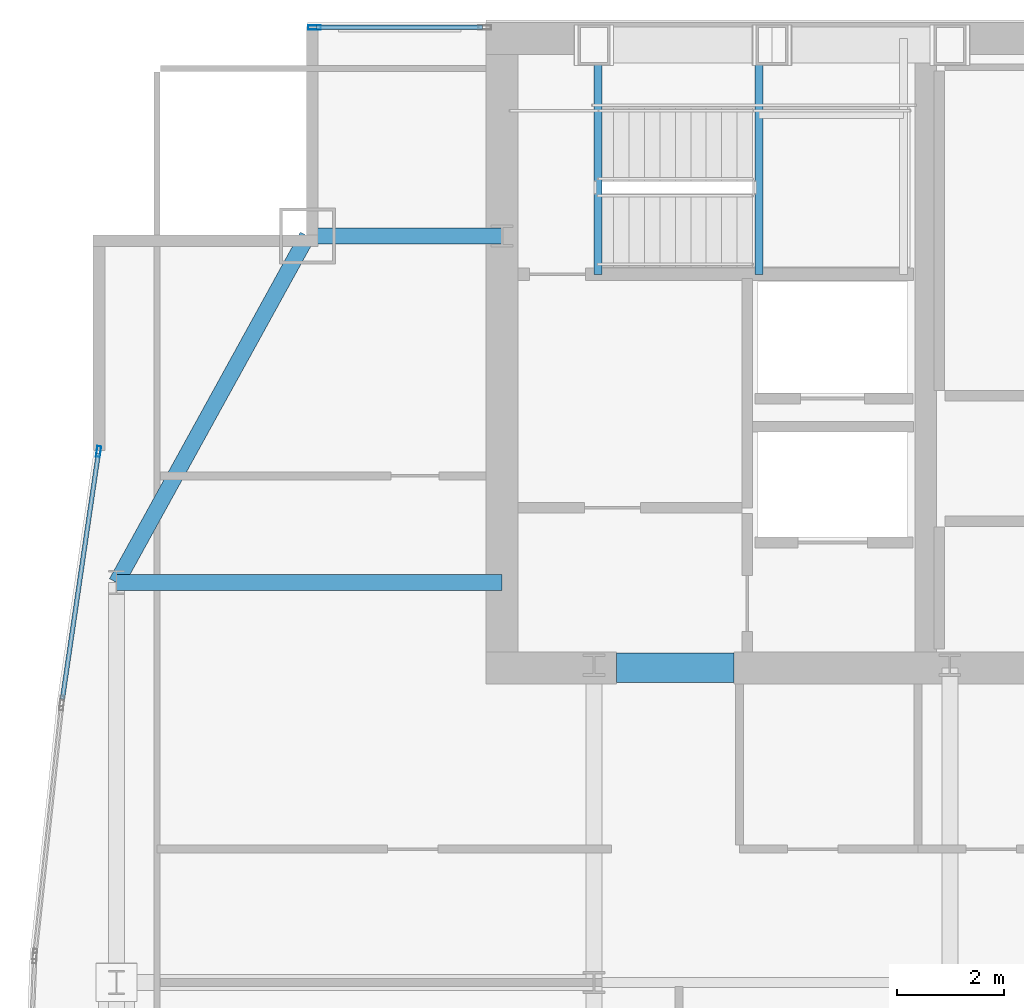
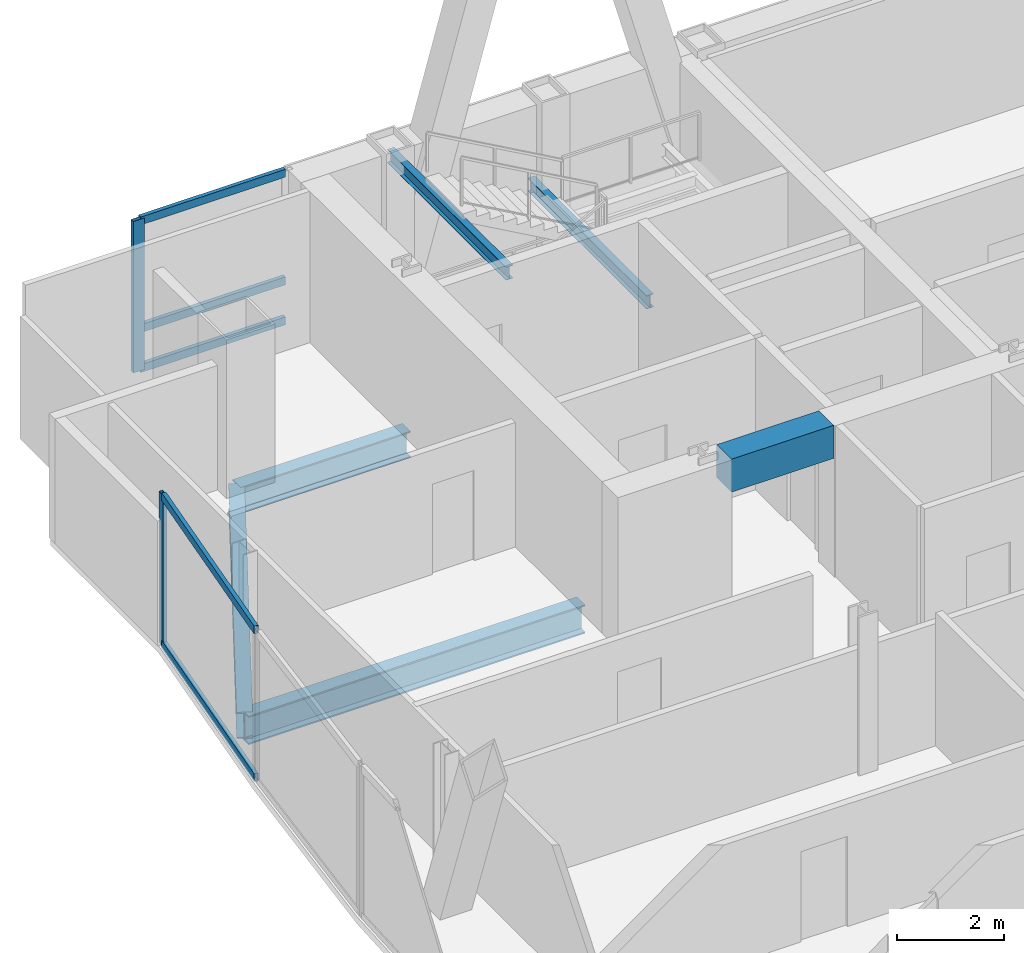
# One storey, part 21 of 31: 7 members, 6 beams, 2 elements without a shape of their own.
"""IFC4 building model written with IfcOpenShell, lengths in metres."""

from ifc_helpers import new_model, si_unit, direction, frame, origin, origin_2d, place, context, subcontext, project, spatial, rectangle, hollow_rectangle, i_section, extrude, material, material_profile, profile_set, type_object, element, aggregate, save


model = new_model("IFC4")

# Units and contexts
model_context = context("Model", 3, precision=1e-05, world=origin(), true_north=direction((0.0, 1.0)))
body_context = subcontext(model_context, "Body", "Model", "MODEL_VIEW")
ifc_project = project(units=[si_unit("LENGTHUNIT", "METRE"), si_unit("AREAUNIT", "SQUARE_METRE"), si_unit("VOLUMEUNIT", "CUBIC_METRE"), si_unit("PLANEANGLEUNIT", "RADIAN"), si_unit("MASSUNIT", "GRAM", prefix="KILO")], contexts=[model_context])

# Site, building, storey
site_placement = place(None, origin())
site = spatial("IfcSite", under=ifc_project, at=site_placement, CompositionType="ELEMENT")
building_placement = place(site_placement, origin())
building = spatial("IfcBuilding", under=site, at=building_placement, Name="Khoronbel Lancet Exchange", CompositionType="ELEMENT")
storey_placement = place(building_placement, frame((0.0, 0.0, 249.800048828125)))
storey = spatial("IfcBuildingStorey", under=building, at=storey_placement, Name="L64", CompositionType="ELEMENT", Elevation=249.800048828125)

# Beams
ifc_material_1 = material(Name="Steel S355", Category="steel")
ifc_material_profile_1 = material_profile(ifc_material_1, i_section(OverallWidth=0.300048828125, OverallDepth=0.64990234375, WebThickness=0.01611328125, FlangeThickness=0.031005859375, at=origin_2d()), Name="HEB 650")
ifc_profile_set_1 = profile_set([ifc_material_profile_1], Name="Steel S355")
beam_type_1 = type_object("IfcBeamType", Name="BM-BG4", PredefinedType="BEAM", material=ifc_profile_set_1)
beam_1_placement = place(storey_placement, frame((9.27001953125, 43.199951171875, -0.485107421875), z_axis=(1.0, 0.0, 0.0), x_axis=(0.0, 1.0, 0.0)))
element("IfcBeam", 1, at=beam_1_placement, inside=storey, type_object=beam_type_1, Name="Level L64 west lens tie girder LG3W", PredefinedType="BEAM", context=body_context, shape_type="SweptSolid", body=[
    extrude(i_section(OverallWidth=0.300048828125, OverallDepth=0.64990234375, WebThickness=0.01611328125, FlangeThickness=0.031005859375, at=origin_2d()), origin(), (0.0, 0.0, 1.0), 7.22998046875),
])
ifc_material_profile_2 = material_profile(ifc_material_1, i_section(OverallWidth=0.14990234375, OverallDepth=0.300048828125, WebThickness=0.007080078125, FlangeThickness=0.0107421875, at=origin_2d()), Name="IPE 300")
ifc_profile_set_2 = profile_set([ifc_material_profile_2], Name="Steel S355")
beam_type_2 = type_object("IfcBeamType", Name="BM-BJ8", PredefinedType="JOIST", material=ifc_profile_set_2)
for number, where, z_axis, x_axis, name in (
    (2, (21.320068359375, 48.97998046875, 1.449951171875), (0.0, 1.0, 0.0), (-1.0, 0.0, 0.0), "Level L64 stair ST1 landing bearer beam 1"),
    (3, (18.300048828125, 48.97998046875, 3.159912109375), (0.0, 1.0, 0.0), (-1.0, 0.0, 0.0), "Level L64 stair ST1 upper-flight arrival trimmer beam"),
):
    element("IfcBeam", number, at=place(storey_placement, frame(where, z_axis=z_axis, x_axis=x_axis)), inside=storey, type_object=beam_type_2, Name=name, PredefinedType="JOIST", context=body_context, shape_type="SweptSolid", body=[
        extrude(i_section(OverallWidth=0.14990234375, OverallDepth=0.300048828125, WebThickness=0.007080078125, FlangeThickness=0.0107421875, at=origin_2d()), origin(), (0.0, 0.0, 1.0), 4.419921875),
    ])
ifc_material_2 = material(Name="Concrete C60/75", Category="concrete")
ifc_material_profile_3 = material_profile(ifc_material_2, rectangle(XDim=0.550048828125, YDim=0.75, at=origin_2d()), Name="RC 550x750")
ifc_profile_set_3 = profile_set([ifc_material_profile_3], Name="Concrete C60/75")
beam_type_3 = type_object("IfcBeamType", Name="BM-BL2", PredefinedType="LINTEL", material=ifc_profile_set_3)
beam_2_placement = place(storey_placement, frame((18.64990234375, 41.60009765625, 3.06494140625), z_axis=(1.0, 0.0, 0.0), x_axis=(0.0, 1.0, 0.0)))
element("IfcBeam", 4, at=beam_2_placement, inside=storey, type_object=beam_type_3, Name="Level L64 rear core coupling lintel L1", PredefinedType="LINTEL", context=body_context, shape_type="SweptSolid", body=[
    extrude(rectangle(XDim=0.550048828125, YDim=0.75, at=origin_2d()), origin(), (0.0, 0.0, 1.0), 2.2001953125),
])
ifc_material_profile_4 = material_profile(ifc_material_1, i_section(OverallWidth=0.300048828125, OverallDepth=0.60009765625, WebThickness=0.015380859375, FlangeThickness=0.030029296875, at=origin_2d()), Name="HEB 600")
ifc_profile_set_4 = profile_set([ifc_material_profile_4], Name="Steel S355")
beam_type_4 = type_object("IfcBeamType", Name="BM-BSP2", PredefinedType="SPANDREL", material=ifc_profile_set_4)
beam_3_placement = place(storey_placement, frame((12.85009765625, 49.699951171875, -0.4599609375), z_axis=(-0.482444051088, -0.875926787791, 0.0), x_axis=(0.875926787791, -0.482444051088, 0.0)))
element("IfcBeam", 5, at=beam_3_placement, inside=storey, type_object=beam_type_4, Name="Level L64 perimeter spandrel beam SP16", PredefinedType="SPANDREL", context=body_context, shape_type="SweptSolid", body=[
    extrude(i_section(OverallWidth=0.300048828125, OverallDepth=0.60009765625, WebThickness=0.015380859375, FlangeThickness=0.030029296875, at=origin_2d()), origin(), (0.0, 0.0, 1.0), 7.420654296875),
])
beam_4_placement = place(storey_placement, frame((12.85009765625, 49.699951171875, -0.4599609375), z_axis=(1.0, 0.0, 0.0), x_axis=(0.0, 1.0, 0.0)))
element("IfcBeam", 6, at=beam_4_placement, inside=storey, type_object=beam_type_4, Name="Level L64 north flank tie spandrel SP22", PredefinedType="SPANDREL", context=body_context, shape_type="SweptSolid", body=[
    extrude(i_section(OverallWidth=0.300048828125, OverallDepth=0.60009765625, WebThickness=0.015380859375, FlangeThickness=0.030029296875, at=origin_2d()), origin(), (0.0, 0.0, 1.0), 3.64990234375),
])

# Curtain wall, member
ifc_material_3 = material(Name="Low-E Solar Control Insulating Glass", Category="glass")
curtain_wall_type_1 = type_object("IfcCurtainWallType", Name="CW-3", PredefinedType="NOTDEFINED", material=ifc_material_3)
curtain_wall_1_placement = place(storey_placement, origin())
curtain_wall_1 = element("IfcCurtainWall", 7, at=curtain_wall_1_placement, inside=storey, type_object=curtain_wall_type_1, Name="Unitised curtain wall CW-L64-NWFLK", PredefinedType="NOTDEFINED")
ifc_material_4 = material(Name="Bronze-Anodised Aluminium 6063-T6", Category="aluminium")
ifc_material_profile_5 = material_profile(ifc_material_4, hollow_rectangle(XDim=0.0849609375, YDim=0.239990234375, WallThickness=0.006103515625, at=origin_2d()), Name="ALU MULLION 85x240")
ifc_profile_set_5 = profile_set([ifc_material_profile_5], Name="Bronze-Anodised Aluminium 6063-T6")
member_type_1 = type_object("IfcMemberType", Name="MEM-CWM1", PredefinedType="MULLION", material=ifc_profile_set_5)
member_1_placement = place(storey_placement, frame((12.982421875, 53.610107421875, 0.0), z_axis=(0.0, 0.0, 1.0), x_axis=(0.0, -1.0, 0.0)))
member_1 = element("IfcMember", 8, at=member_1_placement, type_object=member_type_1, Name="CW3 mullion 2", PredefinedType="MULLION", context=body_context, shape_type="SweptSolid", body=[
    extrude(hollow_rectangle(XDim=0.0849609375, YDim=0.239990234375, WallThickness=0.006103515625, at=origin_2d()), origin(), (0.0, 0.0, 1.0), 3.43994140625),
])

# Curtain wall, members
curtain_wall_type_2 = type_object("IfcCurtainWallType", Name="CW-4", PredefinedType="NOTDEFINED", material=ifc_material_3)
curtain_wall_2_placement = place(storey_placement, origin())
curtain_wall_2 = element("IfcCurtainWall", 9, at=curtain_wall_2_placement, inside=storey, type_object=curtain_wall_type_2, Name="Unitised curtain wall CW-L64-E09", PredefinedType="NOTDEFINED")
ifc_material_profile_6 = material_profile(ifc_material_4, hollow_rectangle(XDim=0.074951171875, YDim=0.199951171875, WallThickness=0.0048828125, at=origin_2d()), Name="ALU MULLION 75x200")
ifc_profile_set_6 = profile_set([ifc_material_profile_6], Name="Bronze-Anodised Aluminium 6063-T6")
member_type_2 = type_object("IfcMemberType", Name="MEM-CWM2", PredefinedType="MULLION", material=ifc_profile_set_6)
member_2_placement = place(storey_placement, frame((8.9345703125, 45.656494140625, 0.0), z_axis=(0.0, 0.0, 1.0), x_axis=(-0.989467753264, 0.144753463694, 0.0)))
member_2 = element("IfcMember", 10, at=member_2_placement, type_object=member_type_2, Name="CW4 mullion 2", PredefinedType="MULLION", context=body_context, shape_type="SweptSolid", body=[
    extrude(hollow_rectangle(XDim=0.074951171875, YDim=0.199951171875, WallThickness=0.0048828125, at=origin_2d()), origin(), (0.0, 0.0, 1.0), 3.43994140625),
])
ifc_material_profile_7 = material_profile(ifc_material_4, hollow_rectangle(XDim=0.0849609375, YDim=0.179931640625, WallThickness=0.0048828125, at=origin_2d()), Name="ALU TRANSOM 85x180")
ifc_profile_set_7 = profile_set([ifc_material_profile_7], Name="Bronze-Anodised Aluminium 6063-T6")
member_type_3 = type_object("IfcMemberType", Name="MEM-CWT1", PredefinedType="USERDEFINED", material=ifc_profile_set_7)
member_3_placement = place(storey_placement, frame((8.25537109375, 41.012939453125, 0.04248046875), z_axis=(0.144739071958, 0.989469858585, 0.0), x_axis=(-0.989469858585, 0.144739071958, 0.0)))
member_3 = element("IfcMember", 11, at=member_3_placement, type_object=member_type_3, Name="CW4 transom 1.1", ObjectType="TRANSOM", PredefinedType="USERDEFINED", context=body_context, shape_type="SweptSolid", body=[
    extrude(hollow_rectangle(XDim=0.0849609375, YDim=0.179931640625, WallThickness=0.0048828125, at=origin_2d()), origin(), (0.0, 0.0, 1.0), 4.655517578125),
])
member_4_placement = place(storey_placement, frame((8.25537109375, 41.012939453125, 3.3974609375), z_axis=(0.144739071958, 0.989469858585, 0.0), x_axis=(-0.989469858585, 0.144739071958, 0.0)))
member_4 = element("IfcMember", 12, at=member_4_placement, type_object=member_type_3, Name="CW4 transom 1.2", ObjectType="TRANSOM", PredefinedType="USERDEFINED", context=body_context, shape_type="SweptSolid", body=[
    extrude(hollow_rectangle(XDim=0.0849609375, YDim=0.179931640625, WallThickness=0.0048828125, at=origin_2d()), origin(), (0.0, 0.0, 1.0), 4.655517578125),
])
aggregate(curtain_wall_2, [member_2, member_3, member_4])

# Member
member_5_placement = place(storey_placement, frame((16.135009765625, 53.610107421875, 0.04248046875), z_axis=(-1.0, 0.0, 0.0), x_axis=(0.0, -1.0, 0.0)))
member_5 = element("IfcMember", 13, at=member_5_placement, type_object=member_type_3, Name="CW3 transom 1.1", ObjectType="TRANSOM", PredefinedType="USERDEFINED", context=body_context, shape_type="SweptSolid", body=[
    extrude(hollow_rectangle(XDim=0.0849609375, YDim=0.179931640625, WallThickness=0.0048828125, at=origin_2d()), origin(), (0.0, 0.0, 1.0), 3.110107421875),
])

member_6_placement = place(storey_placement, frame((16.135009765625, 53.610107421875, 0.949951171875), z_axis=(-1.0, 0.0, 0.0), x_axis=(0.0, -1.0, 0.0)))
member_6 = element("IfcMember", 14, at=member_6_placement, type_object=member_type_3, Name="CW3 transom 1.2", ObjectType="TRANSOM", PredefinedType="USERDEFINED", context=body_context, shape_type="SweptSolid", body=[
    extrude(hollow_rectangle(XDim=0.0849609375, YDim=0.179931640625, WallThickness=0.0048828125, at=origin_2d()), origin(), (0.0, 0.0, 1.0), 3.110107421875),
])

member_7_placement = place(storey_placement, frame((16.135009765625, 53.610107421875, 3.3974609375), z_axis=(-1.0, 0.0, 0.0), x_axis=(0.0, -1.0, 0.0)))
member_7 = element("IfcMember", 15, at=member_7_placement, type_object=member_type_3, Name="CW3 transom 1.3", ObjectType="TRANSOM", PredefinedType="USERDEFINED", context=body_context, shape_type="SweptSolid", body=[
    extrude(hollow_rectangle(XDim=0.0849609375, YDim=0.179931640625, WallThickness=0.0048828125, at=origin_2d()), origin(), (0.0, 0.0, 1.0), 3.110107421875),
])

aggregate(curtain_wall_1, [member_1, member_5, member_6, member_7])

save(model, "model.ifc")
